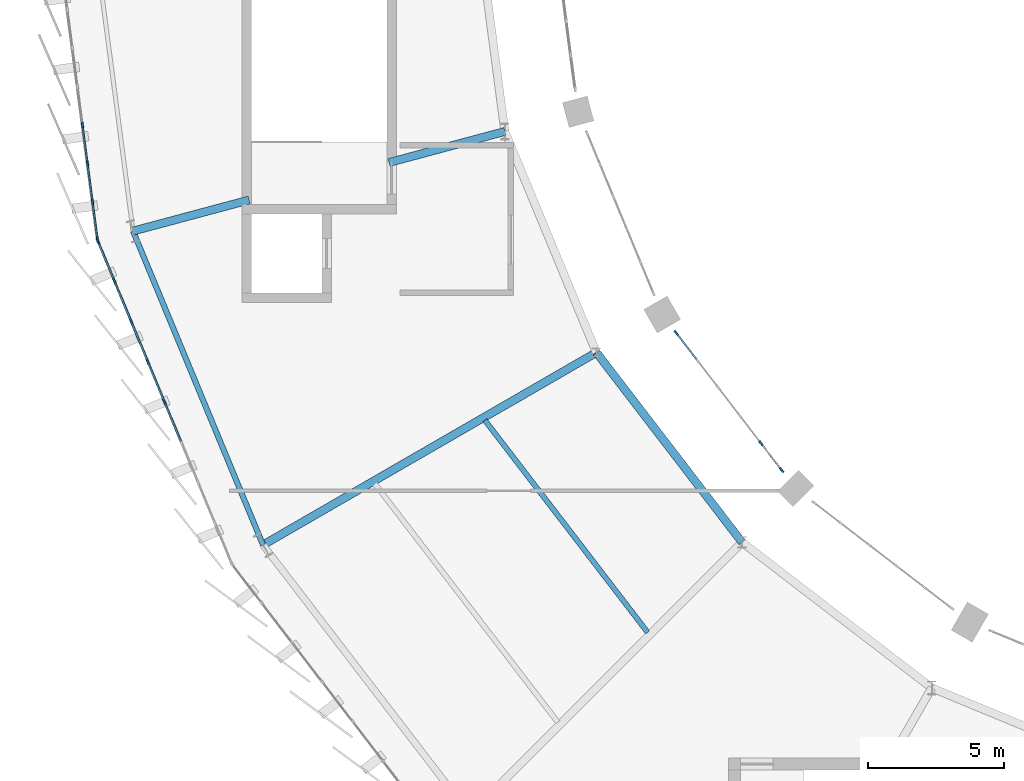
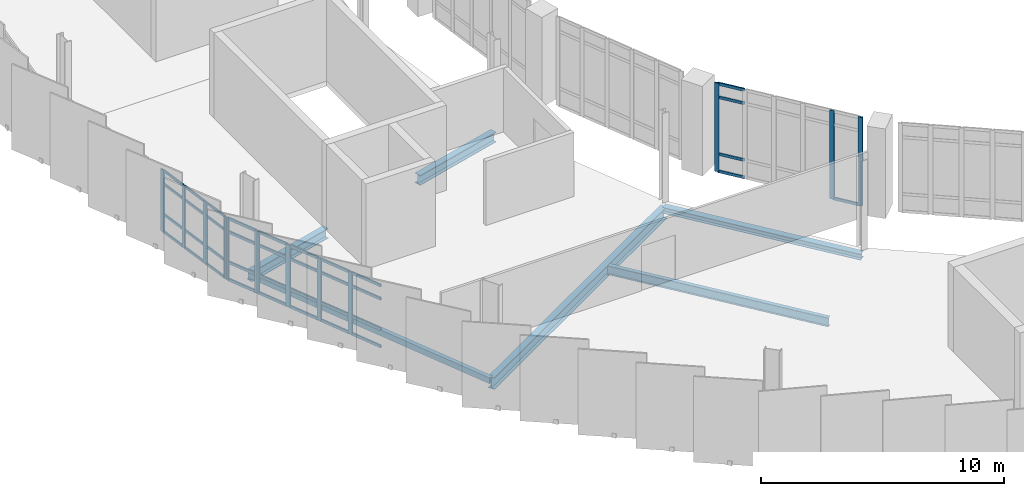
# One storey, part 17 of 67: 49 members, 6 beams, 3 elements without a shape of their own.
"""IFC4 building model written with IfcOpenShell, lengths in metres."""

from ifc_helpers import new_model, si_unit, direction, frame, origin, origin_2d, place, context, subcontext, project, spatial, rectangle, hollow_rectangle, i_section, extrude, material, layer, layer_set, material_profile, profile_set, type_object, element, aggregate, save


model = new_model("IFC4")

# Units and contexts
model_context = context("Model", 3, precision=1e-05, world=origin(), true_north=direction((0.0, 1.0)))
body_context = subcontext(model_context, "Body", "Model", "MODEL_VIEW")
ifc_project = project(units=[si_unit("LENGTHUNIT", "METRE"), si_unit("AREAUNIT", "SQUARE_METRE"), si_unit("VOLUMEUNIT", "CUBIC_METRE"), si_unit("PLANEANGLEUNIT", "RADIAN"), si_unit("MASSUNIT", "GRAM", prefix="KILO")], contexts=[model_context])

# Site, building, storey
site_placement = place(None, origin())
site = spatial("IfcSite", under=ifc_project, at=site_placement, CompositionType="ELEMENT")
building_placement = place(site_placement, origin())
building = spatial("IfcBuilding", under=site, at=building_placement, Name="Sohan Crest Arena", CompositionType="ELEMENT")
storey_placement = place(building_placement, frame((0.0, 0.0, 22.5)))
storey = spatial("IfcBuildingStorey", under=building, at=storey_placement, Name="L05", CompositionType="ELEMENT", Elevation=22.5)

# Curtain wall, members
ifc_material_1 = material(Name="Thermally broken anodised aluminium", Category="aluminium")
ifc_layer_1 = layer(ifc_material_1, 0.179931640625, Name="Thermally broken anodised aluminium")
ifc_layer_set_1 = layer_set([ifc_layer_1], Name="Thermally broken anodised aluminium")
curtain_wall_type_1 = type_object("IfcCurtainWallType", Name="ARC-CW01", PredefinedType="NOTDEFINED", material=ifc_layer_set_1)
curtain_wall_1_placement = place(storey_placement, origin())
curtain_wall_1 = element("IfcCurtainWall", 1, at=curtain_wall_1_placement, inside=storey, type_object=curtain_wall_type_1, Name="Unitised curtain wall CW-152", PredefinedType="NOTDEFINED")
ifc_material_profile_1 = material_profile(ifc_material_1, rectangle(XDim=0.070068359375, YDim=0.199951171875, at=origin_2d()), Name="ALU-MULL 70x200")
ifc_profile_set_1 = profile_set([ifc_material_profile_1], Name="Thermally broken anodised aluminium")
member_type_1 = type_object("IfcMemberType", Name="ARC-CW-ML03", PredefinedType="MULLION", material=ifc_profile_set_1)
member_1_placement = place(storey_placement, frame((49.771240234375, 69.484619140625, 0.0), z_axis=(0.0, 0.0, 1.0), x_axis=(0.991440816386, 0.130556913275, 0.0)))
member_1 = element("IfcMember", 2, at=member_1_placement, type_object=member_type_1, Name="CW-152 mullion 7", PredefinedType="MULLION", context=body_context, shape_type="SweptSolid", body=[
    extrude(rectangle(XDim=0.070068359375, YDim=0.199951171875, at=origin_2d()), origin(), (0.0, 0.0, 1.0), 3.1201171875),
])
member_2_placement = place(storey_placement, frame((49.958251953125, 68.0654296875, 0.0), z_axis=(0.0, 0.0, 1.0), x_axis=(0.991440816386, 0.130556913275, 0.0)))
member_2 = element("IfcMember", 3, at=member_2_placement, type_object=member_type_1, Name="CW-152 mullion 8", PredefinedType="MULLION", context=body_context, shape_type="SweptSolid", body=[
    extrude(rectangle(XDim=0.070068359375, YDim=0.199951171875, at=origin_2d()), origin(), (0.0, 0.0, 1.0), 3.1201171875),
])
member_3_placement = place(storey_placement, frame((50.14501953125, 66.646240234375, 0.0), z_axis=(0.0, 0.0, 1.0), x_axis=(0.991440816386, 0.130556913275, 0.0)))
member_3 = element("IfcMember", 4, at=member_3_placement, type_object=member_type_1, Name="CW-152 mullion 9", PredefinedType="MULLION", context=body_context, shape_type="SweptSolid", body=[
    extrude(rectangle(XDim=0.070068359375, YDim=0.199951171875, at=origin_2d()), origin(), (0.0, 0.0, 1.0), 3.1201171875),
])
member_4_placement = place(storey_placement, frame((50.327392578125, 65.26171875, 0.0), z_axis=(0.0, 0.0, 1.0), x_axis=(0.991440816386, 0.130556913275, 0.0)))
member_4 = element("IfcMember", 5, at=member_4_placement, type_object=member_type_1, Name="CW-152 mullion 10", PredefinedType="MULLION", context=body_context, shape_type="SweptSolid", body=[
    extrude(rectangle(XDim=0.070068359375, YDim=0.199951171875, at=origin_2d()), origin(), (0.0, 0.0, 1.0), 3.1201171875),
])

ifc_layer_2 = layer(ifc_material_1, 0.18994140625, Name="Thermally broken anodised aluminium")
ifc_layer_set_2 = layer_set([ifc_layer_2], Name="Thermally broken anodised aluminium")
curtain_wall_type_2 = type_object("IfcCurtainWallType", Name="ARC-CW05", PredefinedType="NOTDEFINED", material=ifc_layer_set_2)
curtain_wall_2_placement = place(storey_placement, origin())
curtain_wall_2 = element("IfcCurtainWall", 6, at=curtain_wall_2_placement, inside=storey, type_object=curtain_wall_type_2, Name="Unitised curtain wall CW-180", PredefinedType="NOTDEFINED")
member_5_placement = place(storey_placement, frame((71.67333984375, 61.8212890625, 0.0), z_axis=(0.0, 0.0, 1.0), x_axis=(0.793217053508, 0.608939000248, 0.0)))
member_5 = element("IfcMember", 7, at=member_5_placement, type_object=member_type_1, Name="CW-180 mullion 1", PredefinedType="MULLION", context=body_context, shape_type="SweptSolid", body=[
    extrude(rectangle(XDim=0.070068359375, YDim=0.199951171875, at=origin_2d()), origin(), (0.0, 0.0, 1.0), 4.449951171875),
])
member_6_placement = place(storey_placement, frame((74.795166015625, 57.754638671875, 0.0), z_axis=(0.0, 0.0, 1.0), x_axis=(0.793217053508, 0.608939000248, 0.0)))
member_6 = element("IfcMember", 8, at=member_6_placement, type_object=member_type_1, Name="CW-180 mullion 5", PredefinedType="MULLION", context=body_context, shape_type="SweptSolid", body=[
    extrude(rectangle(XDim=0.070068359375, YDim=0.199951171875, at=origin_2d()), origin(), (0.0, 0.0, 1.0), 4.449951171875),
])
member_7_placement = place(storey_placement, frame((75.5595703125, 56.7587890625, 0.0), z_axis=(0.0, 0.0, 1.0), x_axis=(0.793217053508, 0.608939000248, 0.0)))
member_7 = element("IfcMember", 9, at=member_7_placement, type_object=member_type_1, Name="CW-180 mullion 6", PredefinedType="MULLION", context=body_context, shape_type="SweptSolid", body=[
    extrude(rectangle(XDim=0.070068359375, YDim=0.199951171875, at=origin_2d()), origin(), (0.0, 0.0, 1.0), 4.449951171875),
])

ifc_layer_3 = layer(ifc_material_1, 0.199951171875, Name="Thermally broken anodised aluminium")
ifc_layer_set_3 = layer_set([ifc_layer_3], Name="Thermally broken anodised aluminium")
curtain_wall_type_3 = type_object("IfcCurtainWallType", Name="ARC-CW02", PredefinedType="NOTDEFINED", material=ifc_layer_set_3)
curtain_wall_3_placement = place(storey_placement, origin())
curtain_wall_3 = element("IfcCurtainWall", 10, at=curtain_wall_3_placement, inside=storey, type_object=curtain_wall_type_3, Name="Unitised curtain wall CW-153", PredefinedType="NOTDEFINED")
ifc_material_profile_2 = material_profile(ifc_material_1, rectangle(XDim=0.074951171875, YDim=0.219970703125, at=origin_2d()), Name="ALU-MULL 75x220")
ifc_profile_set_2 = profile_set([ifc_material_profile_2], Name="Thermally broken anodised aluminium")
member_type_2 = type_object("IfcMemberType", Name="ARC-CW-ML04", PredefinedType="MULLION", material=ifc_profile_set_2)
member_8_placement = place(storey_placement, frame((50.346435546875, 65.1923828125, 0.0), z_axis=(0.0, 0.0, 1.0), x_axis=(0.923878704229, 0.382685432009, 0.0)))
member_8 = element("IfcMember", 11, at=member_8_placement, type_object=member_type_2, Name="CW-153 mullion 1", PredefinedType="MULLION", context=body_context, shape_type="SweptSolid", body=[
    extrude(rectangle(XDim=0.074951171875, YDim=0.219970703125, at=origin_2d()), origin(), (0.0, 0.0, 1.0), 3.1201171875),
])
member_9_placement = place(storey_placement, frame((50.9482421875, 63.7392578125, 0.0), z_axis=(0.0, 0.0, 1.0), x_axis=(0.923878704229, 0.382685432009, 0.0)))
member_9 = element("IfcMember", 12, at=member_9_placement, type_object=member_type_2, Name="CW-153 mullion 2", PredefinedType="MULLION", context=body_context, shape_type="SweptSolid", body=[
    extrude(rectangle(XDim=0.074951171875, YDim=0.219970703125, at=origin_2d()), origin(), (0.0, 0.0, 1.0), 3.1201171875),
])
member_10_placement = place(storey_placement, frame((51.564453125, 62.25146484375, 0.0), z_axis=(0.0, 0.0, 1.0), x_axis=(0.923878704229, 0.382685432009, 0.0)))
member_10 = element("IfcMember", 13, at=member_10_placement, type_object=member_type_2, Name="CW-153 mullion 3", PredefinedType="MULLION", context=body_context, shape_type="SweptSolid", body=[
    extrude(rectangle(XDim=0.074951171875, YDim=0.219970703125, at=origin_2d()), origin(), (0.0, 0.0, 1.0), 3.1201171875),
])
member_11_placement = place(storey_placement, frame((52.1806640625, 60.763671875, 0.0), z_axis=(0.0, 0.0, 1.0), x_axis=(0.923878704229, 0.382685432009, 0.0)))
member_11 = element("IfcMember", 14, at=member_11_placement, type_object=member_type_2, Name="CW-153 mullion 4", PredefinedType="MULLION", context=body_context, shape_type="SweptSolid", body=[
    extrude(rectangle(XDim=0.074951171875, YDim=0.219970703125, at=origin_2d()), origin(), (0.0, 0.0, 1.0), 3.1201171875),
])
member_12_placement = place(storey_placement, frame((52.797119140625, 59.27587890625, 0.0), z_axis=(0.0, 0.0, 1.0), x_axis=(0.923878704229, 0.382685432009, 0.0)))
member_12 = element("IfcMember", 15, at=member_12_placement, type_object=member_type_2, Name="CW-153 mullion 5", PredefinedType="MULLION", context=body_context, shape_type="SweptSolid", body=[
    extrude(rectangle(XDim=0.074951171875, YDim=0.219970703125, at=origin_2d()), origin(), (0.0, 0.0, 1.0), 3.1201171875),
])

# Member
ifc_material_profile_3 = material_profile(ifc_material_1, rectangle(XDim=0.06005859375, YDim=0.1201171875, at=origin_2d()), Name="ALU-TRAN 60x120")
ifc_profile_set_3 = profile_set([ifc_material_profile_3], Name="Thermally broken anodised aluminium")
member_type_3 = type_object("IfcMemberType", Name="ARC-CW-TR01", PredefinedType="USERDEFINED", material=ifc_profile_set_3)
member_13_placement = place(storey_placement, frame((49.77587890625, 69.449951171875, 0.030029296875), z_axis=(0.130542644625, -0.991442695235, 0.0), x_axis=(0.991442695235, 0.130542644625, 0.0)))
member_13 = element("IfcMember", 16, at=member_13_placement, type_object=member_type_3, Name="CW-152 transom 7.1", ObjectType="TRANSOM", PredefinedType="USERDEFINED", context=body_context, shape_type="SweptSolid", body=[
    extrude(rectangle(XDim=0.06005859375, YDim=0.1201171875, at=origin_2d()), origin(), (0.0, 0.0, 1.0), 1.361572265625),
])

member_14_placement = place(storey_placement, frame((49.77587890625, 69.449951171875, 0.89990234375), z_axis=(0.130542644625, -0.991442695235, 0.0), x_axis=(0.991442695235, 0.130542644625, 0.0)))
member_14 = element("IfcMember", 17, at=member_14_placement, type_object=member_type_3, Name="CW-152 transom 7.2", ObjectType="TRANSOM", PredefinedType="USERDEFINED", context=body_context, shape_type="SweptSolid", body=[
    extrude(rectangle(XDim=0.06005859375, YDim=0.1201171875, at=origin_2d()), origin(), (0.0, 0.0, 1.0), 1.361572265625),
])

member_15_placement = place(storey_placement, frame((49.77587890625, 69.449951171875, 2.419921875), z_axis=(0.130542644625, -0.991442695235, 0.0), x_axis=(0.991442695235, 0.130542644625, 0.0)))
member_15 = element("IfcMember", 18, at=member_15_placement, type_object=member_type_3, Name="CW-152 transom 7.3", ObjectType="TRANSOM", PredefinedType="USERDEFINED", context=body_context, shape_type="SweptSolid", body=[
    extrude(rectangle(XDim=0.06005859375, YDim=0.1201171875, at=origin_2d()), origin(), (0.0, 0.0, 1.0), 1.361572265625),
])

member_16_placement = place(storey_placement, frame((49.77587890625, 69.449951171875, 3.090087890625), z_axis=(0.130542644625, -0.991442695235, 0.0), x_axis=(0.991442695235, 0.130542644625, 0.0)))
member_16 = element("IfcMember", 19, at=member_16_placement, type_object=member_type_3, Name="CW-152 transom 7.4", ObjectType="TRANSOM", PredefinedType="USERDEFINED", context=body_context, shape_type="SweptSolid", body=[
    extrude(rectangle(XDim=0.06005859375, YDim=0.1201171875, at=origin_2d()), origin(), (0.0, 0.0, 1.0), 1.361572265625),
])

member_17_placement = place(storey_placement, frame((49.962890625, 68.03076171875, 0.030029296875), z_axis=(0.130542644625, -0.991442695235, 0.0), x_axis=(0.991442695235, 0.130542644625, 0.0)))
member_17 = element("IfcMember", 20, at=member_17_placement, type_object=member_type_3, Name="CW-152 transom 8.1", ObjectType="TRANSOM", PredefinedType="USERDEFINED", context=body_context, shape_type="SweptSolid", body=[
    extrude(rectangle(XDim=0.06005859375, YDim=0.1201171875, at=origin_2d()), origin(), (0.0, 0.0, 1.0), 1.361572265625),
])

member_18_placement = place(storey_placement, frame((49.962890625, 68.03076171875, 0.89990234375), z_axis=(0.130542644625, -0.991442695235, 0.0), x_axis=(0.991442695235, 0.130542644625, 0.0)))
member_18 = element("IfcMember", 21, at=member_18_placement, type_object=member_type_3, Name="CW-152 transom 8.2", ObjectType="TRANSOM", PredefinedType="USERDEFINED", context=body_context, shape_type="SweptSolid", body=[
    extrude(rectangle(XDim=0.06005859375, YDim=0.1201171875, at=origin_2d()), origin(), (0.0, 0.0, 1.0), 1.361572265625),
])

member_19_placement = place(storey_placement, frame((49.962890625, 68.03076171875, 2.419921875), z_axis=(0.130542644625, -0.991442695235, 0.0), x_axis=(0.991442695235, 0.130542644625, 0.0)))
member_19 = element("IfcMember", 22, at=member_19_placement, type_object=member_type_3, Name="CW-152 transom 8.3", ObjectType="TRANSOM", PredefinedType="USERDEFINED", context=body_context, shape_type="SweptSolid", body=[
    extrude(rectangle(XDim=0.06005859375, YDim=0.1201171875, at=origin_2d()), origin(), (0.0, 0.0, 1.0), 1.361572265625),
])

member_20_placement = place(storey_placement, frame((49.962890625, 68.03076171875, 3.090087890625), z_axis=(0.130542644625, -0.991442695235, 0.0), x_axis=(0.991442695235, 0.130542644625, 0.0)))
member_20 = element("IfcMember", 23, at=member_20_placement, type_object=member_type_3, Name="CW-152 transom 8.4", ObjectType="TRANSOM", PredefinedType="USERDEFINED", context=body_context, shape_type="SweptSolid", body=[
    extrude(rectangle(XDim=0.06005859375, YDim=0.1201171875, at=origin_2d()), origin(), (0.0, 0.0, 1.0), 1.361572265625),
])

member_21_placement = place(storey_placement, frame((50.149658203125, 66.611572265625, 0.030029296875), z_axis=(0.130487838532, -0.991449909978, 0.0), x_axis=(0.991449909978, 0.130487838532, 0.0)))
member_21 = element("IfcMember", 24, at=member_21_placement, type_object=member_type_3, Name="CW-152 transom 9.1", ObjectType="TRANSOM", PredefinedType="USERDEFINED", context=body_context, shape_type="SweptSolid", body=[
    extrude(rectangle(XDim=0.06005859375, YDim=0.1201171875, at=origin_2d()), origin(), (0.0, 0.0, 1.0), 1.326416015625),
])

member_22_placement = place(storey_placement, frame((50.149658203125, 66.611572265625, 0.89990234375), z_axis=(0.130487838532, -0.991449909978, 0.0), x_axis=(0.991449909978, 0.130487838532, 0.0)))
member_22 = element("IfcMember", 25, at=member_22_placement, type_object=member_type_3, Name="CW-152 transom 9.2", ObjectType="TRANSOM", PredefinedType="USERDEFINED", context=body_context, shape_type="SweptSolid", body=[
    extrude(rectangle(XDim=0.06005859375, YDim=0.1201171875, at=origin_2d()), origin(), (0.0, 0.0, 1.0), 1.326416015625),
])

member_23_placement = place(storey_placement, frame((50.149658203125, 66.611572265625, 2.419921875), z_axis=(0.130487838532, -0.991449909978, 0.0), x_axis=(0.991449909978, 0.130487838532, 0.0)))
member_23 = element("IfcMember", 26, at=member_23_placement, type_object=member_type_3, Name="CW-152 transom 9.3", ObjectType="TRANSOM", PredefinedType="USERDEFINED", context=body_context, shape_type="SweptSolid", body=[
    extrude(rectangle(XDim=0.06005859375, YDim=0.1201171875, at=origin_2d()), origin(), (0.0, 0.0, 1.0), 1.326416015625),
])

member_24_placement = place(storey_placement, frame((50.149658203125, 66.611572265625, 3.090087890625), z_axis=(0.130487838532, -0.991449909978, 0.0), x_axis=(0.991449909978, 0.130487838532, 0.0)))
member_24 = element("IfcMember", 27, at=member_24_placement, type_object=member_type_3, Name="CW-152 transom 9.4", ObjectType="TRANSOM", PredefinedType="USERDEFINED", context=body_context, shape_type="SweptSolid", body=[
    extrude(rectangle(XDim=0.06005859375, YDim=0.1201171875, at=origin_2d()), origin(), (0.0, 0.0, 1.0), 1.326416015625),
])

aggregate(curtain_wall_1, [member_1, member_2, member_3, member_4, member_13, member_14, member_15, member_16, member_17, member_18, member_19, member_20, member_21, member_22, member_23, member_24])

ifc_material_profile_4 = material_profile(ifc_material_1, rectangle(XDim=0.06494140625, YDim=0.139892578125, at=origin_2d()), Name="ALU-TRAN 65x140")
ifc_profile_set_4 = profile_set([ifc_material_profile_4], Name="Thermally broken anodised aluminium")
member_type_4 = type_object("IfcMemberType", Name="ARC-CW-TR02", PredefinedType="USERDEFINED", material=ifc_profile_set_4)
member_25_placement = place(storey_placement, frame((50.360595703125, 65.15771484375, 0.032470703125), z_axis=(0.382716478617, -0.923865843613, 0.0), x_axis=(0.923865843613, 0.382716478617, 0.0)))
member_25 = element("IfcMember", 28, at=member_25_placement, type_object=member_type_4, Name="CW-153 transom 1.1", ObjectType="TRANSOM", PredefinedType="USERDEFINED", context=body_context, shape_type="SweptSolid", body=[
    extrude(rectangle(XDim=0.06494140625, YDim=0.139892578125, at=origin_2d()), origin(), (0.0, 0.0, 1.0), 1.497802734375),
])

member_26_placement = place(storey_placement, frame((50.360595703125, 65.15771484375, 0.89990234375), z_axis=(0.382716478617, -0.923865843613, 0.0), x_axis=(0.923865843613, 0.382716478617, 0.0)))
member_26 = element("IfcMember", 29, at=member_26_placement, type_object=member_type_4, Name="CW-153 transom 1.2", ObjectType="TRANSOM", PredefinedType="USERDEFINED", context=body_context, shape_type="SweptSolid", body=[
    extrude(rectangle(XDim=0.06494140625, YDim=0.139892578125, at=origin_2d()), origin(), (0.0, 0.0, 1.0), 1.497802734375),
])

member_27_placement = place(storey_placement, frame((50.360595703125, 65.15771484375, 2.419921875), z_axis=(0.382716478617, -0.923865843613, 0.0), x_axis=(0.923865843613, 0.382716478617, 0.0)))
member_27 = element("IfcMember", 30, at=member_27_placement, type_object=member_type_4, Name="CW-153 transom 1.3", ObjectType="TRANSOM", PredefinedType="USERDEFINED", context=body_context, shape_type="SweptSolid", body=[
    extrude(rectangle(XDim=0.06494140625, YDim=0.139892578125, at=origin_2d()), origin(), (0.0, 0.0, 1.0), 1.497802734375),
])

member_28_placement = place(storey_placement, frame((50.360595703125, 65.15771484375, 3.08740234375), z_axis=(0.382716478617, -0.923865843613, 0.0), x_axis=(0.923865843613, 0.382716478617, 0.0)))
member_28 = element("IfcMember", 31, at=member_28_placement, type_object=member_type_4, Name="CW-153 transom 1.4", ObjectType="TRANSOM", PredefinedType="USERDEFINED", context=body_context, shape_type="SweptSolid", body=[
    extrude(rectangle(XDim=0.06494140625, YDim=0.139892578125, at=origin_2d()), origin(), (0.0, 0.0, 1.0), 1.497802734375),
])

member_29_placement = place(storey_placement, frame((50.962646484375, 63.70458984375, 0.032470703125), z_axis=(0.382604597635, -0.923912182985, 0.0), x_axis=(0.923912182985, 0.382604597635, 0.0)))
member_29 = element("IfcMember", 32, at=member_29_placement, type_object=member_type_4, Name="CW-153 transom 2.1", ObjectType="TRANSOM", PredefinedType="USERDEFINED", context=body_context, shape_type="SweptSolid", body=[
    extrude(rectangle(XDim=0.06494140625, YDim=0.139892578125, at=origin_2d()), origin(), (0.0, 0.0, 1.0), 1.53515625),
])

member_30_placement = place(storey_placement, frame((50.962646484375, 63.70458984375, 0.89990234375), z_axis=(0.382604597635, -0.923912182985, 0.0), x_axis=(0.923912182985, 0.382604597635, 0.0)))
member_30 = element("IfcMember", 33, at=member_30_placement, type_object=member_type_4, Name="CW-153 transom 2.2", ObjectType="TRANSOM", PredefinedType="USERDEFINED", context=body_context, shape_type="SweptSolid", body=[
    extrude(rectangle(XDim=0.06494140625, YDim=0.139892578125, at=origin_2d()), origin(), (0.0, 0.0, 1.0), 1.53515625),
])

member_31_placement = place(storey_placement, frame((50.962646484375, 63.70458984375, 2.419921875), z_axis=(0.382604597635, -0.923912182985, 0.0), x_axis=(0.923912182985, 0.382604597635, 0.0)))
member_31 = element("IfcMember", 34, at=member_31_placement, type_object=member_type_4, Name="CW-153 transom 2.3", ObjectType="TRANSOM", PredefinedType="USERDEFINED", context=body_context, shape_type="SweptSolid", body=[
    extrude(rectangle(XDim=0.06494140625, YDim=0.139892578125, at=origin_2d()), origin(), (0.0, 0.0, 1.0), 1.53515625),
])

member_32_placement = place(storey_placement, frame((50.962646484375, 63.70458984375, 3.08740234375), z_axis=(0.382604597635, -0.923912182985, 0.0), x_axis=(0.923912182985, 0.382604597635, 0.0)))
member_32 = element("IfcMember", 35, at=member_32_placement, type_object=member_type_4, Name="CW-153 transom 2.4", ObjectType="TRANSOM", PredefinedType="USERDEFINED", context=body_context, shape_type="SweptSolid", body=[
    extrude(rectangle(XDim=0.06494140625, YDim=0.139892578125, at=origin_2d()), origin(), (0.0, 0.0, 1.0), 1.53515625),
])

member_33_placement = place(storey_placement, frame((51.578857421875, 62.216796875, 0.032470703125), z_axis=(0.38274032778, -0.923855963606, 0.0), x_axis=(0.923855963606, 0.38274032778, 0.0)))
member_33 = element("IfcMember", 36, at=member_33_placement, type_object=member_type_4, Name="CW-153 transom 3.1", ObjectType="TRANSOM", PredefinedType="USERDEFINED", context=body_context, shape_type="SweptSolid", body=[
    extrude(rectangle(XDim=0.06494140625, YDim=0.139892578125, at=origin_2d()), origin(), (0.0, 0.0, 1.0), 1.535400390625),
])

member_34_placement = place(storey_placement, frame((51.578857421875, 62.216796875, 0.89990234375), z_axis=(0.38274032778, -0.923855963606, 0.0), x_axis=(0.923855963606, 0.38274032778, 0.0)))
member_34 = element("IfcMember", 37, at=member_34_placement, type_object=member_type_4, Name="CW-153 transom 3.2", ObjectType="TRANSOM", PredefinedType="USERDEFINED", context=body_context, shape_type="SweptSolid", body=[
    extrude(rectangle(XDim=0.06494140625, YDim=0.139892578125, at=origin_2d()), origin(), (0.0, 0.0, 1.0), 1.535400390625),
])

member_35_placement = place(storey_placement, frame((51.578857421875, 62.216796875, 2.419921875), z_axis=(0.38274032778, -0.923855963606, 0.0), x_axis=(0.923855963606, 0.38274032778, 0.0)))
member_35 = element("IfcMember", 38, at=member_35_placement, type_object=member_type_4, Name="CW-153 transom 3.3", ObjectType="TRANSOM", PredefinedType="USERDEFINED", context=body_context, shape_type="SweptSolid", body=[
    extrude(rectangle(XDim=0.06494140625, YDim=0.139892578125, at=origin_2d()), origin(), (0.0, 0.0, 1.0), 1.535400390625),
])

member_36_placement = place(storey_placement, frame((51.578857421875, 62.216796875, 3.08740234375), z_axis=(0.38274032778, -0.923855963606, 0.0), x_axis=(0.923855963606, 0.38274032778, 0.0)))
member_36 = element("IfcMember", 39, at=member_36_placement, type_object=member_type_4, Name="CW-153 transom 3.4", ObjectType="TRANSOM", PredefinedType="USERDEFINED", context=body_context, shape_type="SweptSolid", body=[
    extrude(rectangle(XDim=0.06494140625, YDim=0.139892578125, at=origin_2d()), origin(), (0.0, 0.0, 1.0), 1.535400390625),
])

member_37_placement = place(storey_placement, frame((52.195068359375, 60.72900390625, 0.032470703125), z_axis=(0.38274032778, -0.923855963606, 0.0), x_axis=(0.923855963606, 0.38274032778, 0.0)))
member_37 = element("IfcMember", 40, at=member_37_placement, type_object=member_type_4, Name="CW-153 transom 4.1", ObjectType="TRANSOM", PredefinedType="USERDEFINED", context=body_context, shape_type="SweptSolid", body=[
    extrude(rectangle(XDim=0.06494140625, YDim=0.139892578125, at=origin_2d()), origin(), (0.0, 0.0, 1.0), 1.535400390625),
])

member_38_placement = place(storey_placement, frame((52.195068359375, 60.72900390625, 0.89990234375), z_axis=(0.38274032778, -0.923855963606, 0.0), x_axis=(0.923855963606, 0.38274032778, 0.0)))
member_38 = element("IfcMember", 41, at=member_38_placement, type_object=member_type_4, Name="CW-153 transom 4.2", ObjectType="TRANSOM", PredefinedType="USERDEFINED", context=body_context, shape_type="SweptSolid", body=[
    extrude(rectangle(XDim=0.06494140625, YDim=0.139892578125, at=origin_2d()), origin(), (0.0, 0.0, 1.0), 1.535400390625),
])

member_39_placement = place(storey_placement, frame((52.195068359375, 60.72900390625, 2.419921875), z_axis=(0.38274032778, -0.923855963606, 0.0), x_axis=(0.923855963606, 0.38274032778, 0.0)))
member_39 = element("IfcMember", 42, at=member_39_placement, type_object=member_type_4, Name="CW-153 transom 4.3", ObjectType="TRANSOM", PredefinedType="USERDEFINED", context=body_context, shape_type="SweptSolid", body=[
    extrude(rectangle(XDim=0.06494140625, YDim=0.139892578125, at=origin_2d()), origin(), (0.0, 0.0, 1.0), 1.535400390625),
])

member_40_placement = place(storey_placement, frame((52.195068359375, 60.72900390625, 3.08740234375), z_axis=(0.38274032778, -0.923855963606, 0.0), x_axis=(0.923855963606, 0.38274032778, 0.0)))
member_40 = element("IfcMember", 43, at=member_40_placement, type_object=member_type_4, Name="CW-153 transom 4.4", ObjectType="TRANSOM", PredefinedType="USERDEFINED", context=body_context, shape_type="SweptSolid", body=[
    extrude(rectangle(XDim=0.06494140625, YDim=0.139892578125, at=origin_2d()), origin(), (0.0, 0.0, 1.0), 1.535400390625),
])

member_41_placement = place(storey_placement, frame((52.811279296875, 59.241455078125, 0.032470703125), z_axis=(0.38274032778, -0.923855963606, 0.0), x_axis=(0.923855963606, 0.38274032778, 0.0)))
member_41 = element("IfcMember", 44, at=member_41_placement, type_object=member_type_4, Name="CW-153 transom 5.1", ObjectType="TRANSOM", PredefinedType="USERDEFINED", context=body_context, shape_type="SweptSolid", body=[
    extrude(rectangle(XDim=0.06494140625, YDim=0.139892578125, at=origin_2d()), origin(), (0.0, 0.0, 1.0), 1.535400390625),
])

member_42_placement = place(storey_placement, frame((52.811279296875, 59.241455078125, 0.89990234375), z_axis=(0.38274032778, -0.923855963606, 0.0), x_axis=(0.923855963606, 0.38274032778, 0.0)))
member_42 = element("IfcMember", 45, at=member_42_placement, type_object=member_type_4, Name="CW-153 transom 5.2", ObjectType="TRANSOM", PredefinedType="USERDEFINED", context=body_context, shape_type="SweptSolid", body=[
    extrude(rectangle(XDim=0.06494140625, YDim=0.139892578125, at=origin_2d()), origin(), (0.0, 0.0, 1.0), 1.535400390625),
])

member_43_placement = place(storey_placement, frame((52.811279296875, 59.241455078125, 2.419921875), z_axis=(0.38274032778, -0.923855963606, 0.0), x_axis=(0.923855963606, 0.38274032778, 0.0)))
member_43 = element("IfcMember", 46, at=member_43_placement, type_object=member_type_4, Name="CW-153 transom 5.3", ObjectType="TRANSOM", PredefinedType="USERDEFINED", context=body_context, shape_type="SweptSolid", body=[
    extrude(rectangle(XDim=0.06494140625, YDim=0.139892578125, at=origin_2d()), origin(), (0.0, 0.0, 1.0), 1.535400390625),
])

member_44_placement = place(storey_placement, frame((52.811279296875, 59.241455078125, 3.08740234375), z_axis=(0.38274032778, -0.923855963606, 0.0), x_axis=(0.923855963606, 0.38274032778, 0.0)))
member_44 = element("IfcMember", 47, at=member_44_placement, type_object=member_type_4, Name="CW-153 transom 5.4", ObjectType="TRANSOM", PredefinedType="USERDEFINED", context=body_context, shape_type="SweptSolid", body=[
    extrude(rectangle(XDim=0.06494140625, YDim=0.139892578125, at=origin_2d()), origin(), (0.0, 0.0, 1.0), 1.535400390625),
])

aggregate(curtain_wall_3, [member_8, member_9, member_10, member_11, member_12, member_25, member_26, member_27, member_28, member_29, member_30, member_31, member_32, member_33, member_34, member_35, member_36, member_37, member_38, member_39, member_40, member_41, member_42, member_43, member_44])

member_45_placement = place(storey_placement, frame((71.694580078125, 61.79345703125, 0.032470703125), z_axis=(0.609023743394, -0.793151990467, 0.0), x_axis=(0.793151990467, 0.609023743394, 0.0)))
member_45 = element("IfcMember", 48, at=member_45_placement, type_object=member_type_4, Name="CW-180 transom 1.1", ObjectType="TRANSOM", PredefinedType="USERDEFINED", context=body_context, shape_type="SweptSolid", body=[
    extrude(rectangle(XDim=0.06494140625, YDim=0.139892578125, at=origin_2d()), origin(), (0.0, 0.0, 1.0), 1.185302734375),
])

member_46_placement = place(storey_placement, frame((71.694580078125, 61.79345703125, 0.89990234375), z_axis=(0.609023743394, -0.793151990467, 0.0), x_axis=(0.793151990467, 0.609023743394, 0.0)))
member_46 = element("IfcMember", 49, at=member_46_placement, type_object=member_type_4, Name="CW-180 transom 1.2", ObjectType="TRANSOM", PredefinedType="USERDEFINED", context=body_context, shape_type="SweptSolid", body=[
    extrude(rectangle(XDim=0.06494140625, YDim=0.139892578125, at=origin_2d()), origin(), (0.0, 0.0, 1.0), 1.185302734375),
])

member_47_placement = place(storey_placement, frame((71.694580078125, 61.79345703125, 3.75), z_axis=(0.609023743394, -0.793151990467, 0.0), x_axis=(0.793151990467, 0.609023743394, 0.0)))
member_47 = element("IfcMember", 50, at=member_47_placement, type_object=member_type_4, Name="CW-180 transom 1.3", ObjectType="TRANSOM", PredefinedType="USERDEFINED", context=body_context, shape_type="SweptSolid", body=[
    extrude(rectangle(XDim=0.06494140625, YDim=0.139892578125, at=origin_2d()), origin(), (0.0, 0.0, 1.0), 1.185302734375),
])

member_48_placement = place(storey_placement, frame((71.694580078125, 61.79345703125, 4.41748046875), z_axis=(0.609023743394, -0.793151990467, 0.0), x_axis=(0.793151990467, 0.609023743394, 0.0)))
member_48 = element("IfcMember", 51, at=member_48_placement, type_object=member_type_4, Name="CW-180 transom 1.4", ObjectType="TRANSOM", PredefinedType="USERDEFINED", context=body_context, shape_type="SweptSolid", body=[
    extrude(rectangle(XDim=0.06494140625, YDim=0.139892578125, at=origin_2d()), origin(), (0.0, 0.0, 1.0), 1.185302734375),
])

member_49_placement = place(storey_placement, frame((74.81640625, 57.726806640625, 0.032470703125), z_axis=(0.609023743394, -0.793151990467, 0.0), x_axis=(0.793151990467, 0.609023743394, 0.0)))
member_49 = element("IfcMember", 52, at=member_49_placement, type_object=member_type_4, Name="CW-180 transom 5.1", ObjectType="TRANSOM", PredefinedType="USERDEFINED", context=body_context, shape_type="SweptSolid", body=[
    extrude(rectangle(XDim=0.06494140625, YDim=0.139892578125, at=origin_2d()), origin(), (0.0, 0.0, 1.0), 1.185302734375),
])

aggregate(curtain_wall_2, [member_5, member_6, member_7, member_45, member_46, member_47, member_48, member_49])

# Beams
ifc_material_2 = material(Name="Steel S355", Category="steel")
ifc_material_profile_5 = material_profile(ifc_material_2, i_section(OverallWidth=0.18994140625, OverallDepth=0.449951171875, WebThickness=0.009521484375, FlangeThickness=0.0146484375, at=origin_2d()), Name="IPE 450")
ifc_profile_set_5 = profile_set([ifc_material_profile_5], Name="Steel S355")
beam_type_1 = type_object("IfcBeamType", Name="STR-BM-B04", PredefinedType="JOIST", material=ifc_profile_set_5)
beam_1_placement = place(storey_placement, frame((64.614013671875, 58.59912109375, -0.47509765625), z_axis=(0.608739091659, -0.793370479843, 0.0), x_axis=(0.793370479843, 0.608739091659, 0.0)))
element("IfcBeam", 53, at=beam_1_placement, inside=storey, type_object=beam_type_1, Name="Structural beam J-L05-1742", PredefinedType="JOIST", context=body_context, shape_type="SweptSolid", body=[
    extrude(i_section(OverallWidth=0.18994140625, OverallDepth=0.449951171875, WebThickness=0.009521484375, FlangeThickness=0.0146484375, at=origin_2d()), origin(), (0.0, 0.0, 1.0), 9.864501953125),
])
ifc_material_profile_6 = material_profile(ifc_material_2, i_section(OverallWidth=0.300048828125, OverallDepth=0.590087890625, WebThickness=0.012939453125, FlangeThickness=0.02490234375, at=origin_2d()), Name="HEA 600")
ifc_profile_set_6 = profile_set([ifc_material_profile_6], Name="Steel S355")
beam_type_2 = type_object("IfcBeamType", Name="STR-BM-B11", PredefinedType="BEAM", material=ifc_profile_set_6)
beam_2_placement = place(storey_placement, frame((68.72802734375, 61.10009765625, -0.544921875), z_axis=(-0.86601465089, -0.500018624098, 0.0), x_axis=(0.500018624098, -0.86601465089, 0.0)))
element("IfcBeam", 54, at=beam_2_placement, inside=storey, type_object=beam_type_2, Name="Structural beam G-L05-1739", PredefinedType="BEAM", context=body_context, shape_type="SweptSolid", body=[
    extrude(i_section(OverallWidth=0.300048828125, OverallDepth=0.590087890625, WebThickness=0.012939453125, FlangeThickness=0.02490234375, at=origin_2d()), origin(), (0.0, 0.0, 1.0), 14.19970703125),
])
ifc_material_profile_7 = material_profile(ifc_material_2, i_section(OverallWidth=0.300048828125, OverallDepth=0.300048828125, WebThickness=0.010986328125, FlangeThickness=0.01904296875, at=origin_2d()), Name="HEB 300")
ifc_profile_set_7 = profile_set([ifc_material_profile_7], Name="Steel S355")
beam_type_3 = type_object("IfcBeamType", Name="STR-BM-B12", PredefinedType="BEAM", material=ifc_profile_set_7)
beam_3_placement = place(storey_placement, frame((68.72802734375, 61.10009765625, -0.39990234375), z_axis=(0.608817165336, -0.793310569192, 0.0), x_axis=(0.793310569192, 0.608817165336, 0.0)))
element("IfcBeam", 55, at=beam_3_placement, inside=storey, type_object=beam_type_3, Name="Structural beam G-L05-1740", PredefinedType="BEAM", context=body_context, shape_type="SweptSolid", body=[
    extrude(i_section(OverallWidth=0.300048828125, OverallDepth=0.300048828125, WebThickness=0.010986328125, FlangeThickness=0.01904296875, at=origin_2d()), origin(), (0.0, 0.0, 1.0), 8.82373046875),
])
ifc_material_profile_8 = material_profile(ifc_material_2, i_section(OverallWidth=0.300048828125, OverallDepth=0.5, WebThickness=0.014404296875, FlangeThickness=0.028076171875, at=origin_2d()), Name="HEB 500")
ifc_profile_set_8 = profile_set([ifc_material_profile_8], Name="Steel S355")
beam_type_4 = type_object("IfcBeamType", Name="STR-BM-B14", PredefinedType="BEAM", material=ifc_profile_set_8)
beam_4_placement = place(storey_placement, frame((65.35205078125, 69.251953125, -0.5), z_axis=(-0.965906157738, -0.258892437981, 0.0), x_axis=(0.258892437981, -0.965906157738, 0.0)))
element("IfcBeam", 56, at=beam_4_placement, inside=storey, type_object=beam_type_4, Name="Structural beam G-L05-1735", PredefinedType="BEAM", context=body_context, shape_type="SweptSolid", body=[
    extrude(i_section(OverallWidth=0.300048828125, OverallDepth=0.5, WebThickness=0.014404296875, FlangeThickness=0.028076171875, at=origin_2d()), origin(), (0.0, 0.0, 1.0), 4.4228515625),
])
beam_5_placement = place(storey_placement, frame((55.919921875, 66.72509765625, -0.5), z_axis=(-0.965907995401, -0.258885581716, 0.0), x_axis=(0.258885581716, -0.965907995401, 0.0)))
element("IfcBeam", 57, at=beam_5_placement, inside=storey, type_object=beam_type_4, Name="Structural beam G-L05-1736", PredefinedType="BEAM", context=body_context, shape_type="SweptSolid", body=[
    extrude(i_section(OverallWidth=0.300048828125, OverallDepth=0.5, WebThickness=0.014404296875, FlangeThickness=0.028076171875, at=origin_2d()), origin(), (0.0, 0.0, 1.0), 4.43505859375),
])
ifc_material_profile_9 = material_profile(ifc_material_2, hollow_rectangle(XDim=0.199951171875, YDim=0.300048828125, WallThickness=0.010009765625, at=origin_2d()), Name="RHS 300x200x10")
ifc_profile_set_9 = profile_set([ifc_material_profile_9], Name="Steel S355")
beam_type_5 = type_object("IfcBeamType", Name="STR-BM-SP03", PredefinedType="SPANDREL", material=ifc_profile_set_9)
beam_6_placement = place(storey_placement, frame((51.635986328125, 65.576904296875, -0.39990234375), z_axis=(0.382656941645, -0.923890504882, 0.0), x_axis=(0.923890504882, 0.382656941645, 0.0)))
element("IfcBeam", 58, at=beam_6_placement, inside=storey, type_object=beam_type_5, Name="Structural beam SP-L05-1738", PredefinedType="SPANDREL", context=body_context, shape_type="SweptSolid", body=[
    extrude(hollow_rectangle(XDim=0.199951171875, YDim=0.300048828125, WallThickness=0.010009765625, at=origin_2d()), origin(), (0.0, 0.0, 1.0), 12.530517578125),
])

save(model, "model.ifc")
